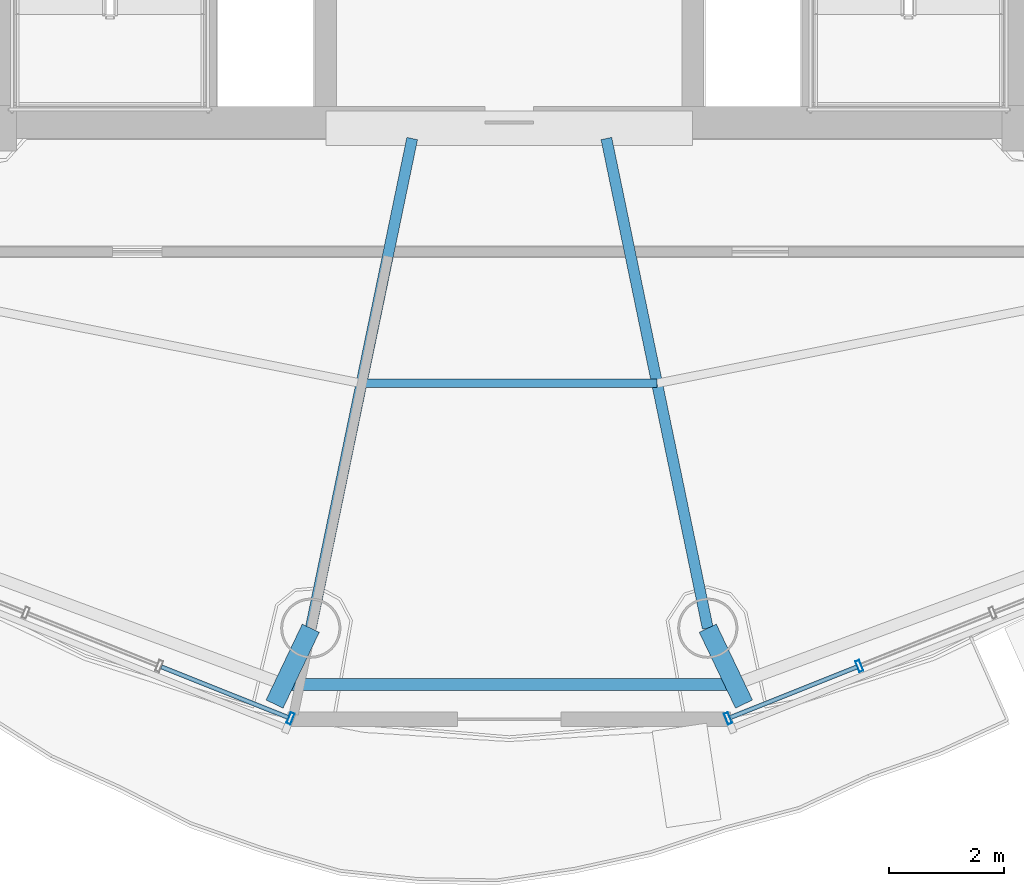
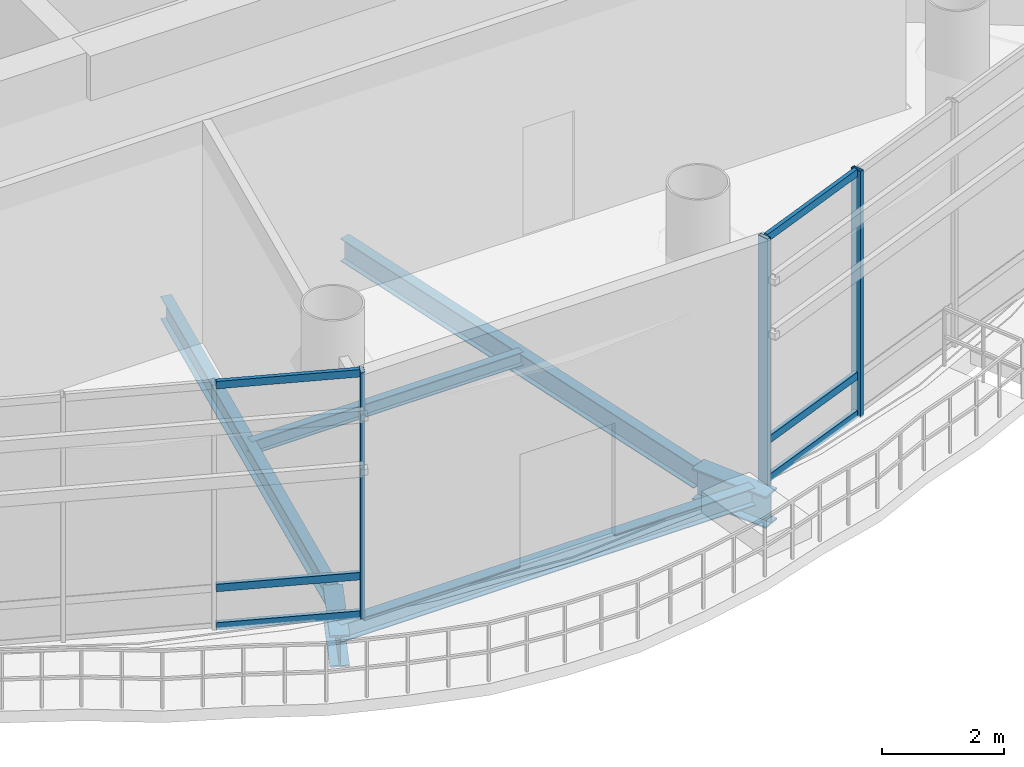
# One storey, part 4 of 22: 9 members, 6 beams, 2 elements without a shape of their own.
"""IFC4 building model written with IfcOpenShell, lengths in metres."""

from ifc_helpers import new_model, si_unit, direction, frame, origin, origin_2d, place, context, subcontext, project, spatial, hollow_rectangle, i_section, extrude, source, transform, mapped, material, material_profile, profile_set, type_object, element, aggregate, save


model = new_model("IFC4")

# Units and contexts
model_context = context("Model", 3, precision=1e-05, world=origin(), true_north=direction((-0.2419218956, 0.970295726276)))
body_context = subcontext(model_context, "Body", "Model", "MODEL_VIEW")
ifc_project = project(units=[si_unit("LENGTHUNIT", "METRE"), si_unit("AREAUNIT", "SQUARE_METRE"), si_unit("VOLUMEUNIT", "CUBIC_METRE"), si_unit("PLANEANGLEUNIT", "RADIAN"), si_unit("MASSUNIT", "GRAM", prefix="KILO")], contexts=[model_context])

# Site, building, storey
site_placement = place(None, origin())
site = spatial("IfcSite", under=ifc_project, at=site_placement, CompositionType="ELEMENT")
building_placement = place(site_placement, origin())
building = spatial("IfcBuilding", under=site, at=building_placement, Name="Cobrevalo Terracotta Tower", CompositionType="ELEMENT")
storey_placement = place(building_placement, frame((0.0, 0.0, 243.0)))
storey = spatial("IfcBuildingStorey", under=building, at=storey_placement, Name="L64", CompositionType="ELEMENT", Elevation=243.0)

# Beams
ifc_material_1 = material(Name="Steel S355", Category="steel")
ifc_material_profile_1 = material_profile(ifc_material_1, i_section(OverallWidth=0.19091796875, OverallDepth=0.4599609375, WebThickness=0.010009765625, FlangeThickness=0.01611328125, at=origin_2d()), Name="W 460x82")
ifc_profile_set_1 = profile_set([ifc_material_profile_1], Name="Steel S355")
beam_type_1 = type_object("IfcBeamType", Name="Structural Beam W 460x82 (Steel S355)", PredefinedType="BEAM", material=ifc_profile_set_1)
for number, where, z_axis, x_axis, name in (
    (1, (34.537109375, 10.07763671875, -0.679931640625), (0.202785130995, 0.979223258837, 0.0), (-0.979223258837, 0.202785130995, 0.0), "L64 radial floor girder 12"),
    (2, (41.462890625, 10.07763671875, -0.679931640625), (-0.202785130995, 0.979223258837, 0.0), (-0.979223258837, -0.202785130995, 0.0), "L64 radial floor girder 13"),
):
    element("IfcBeam", number, at=place(storey_placement, frame(where, z_axis=z_axis, x_axis=x_axis)), inside=storey, type_object=beam_type_1, Name=name, PredefinedType="BEAM", context=body_context, shape_type="SweptSolid", body=[
        extrude(i_section(OverallWidth=0.19091796875, OverallDepth=0.4599609375, WebThickness=0.010009765625, FlangeThickness=0.01611328125, at=origin_2d()), origin(), (0.0, 0.0, 1.0), 8.7236328125),
    ])
ifc_material_profile_2 = material_profile(ifc_material_1, i_section(OverallWidth=0.3291015625, OverallDepth=0.635009765625, WebThickness=0.017822265625, FlangeThickness=0.031005859375, at=origin_2d()), Name="W 610x241")
ifc_profile_set_2 = profile_set([ifc_material_profile_2], Name="Steel S355")
beam_type_2 = type_object("IfcBeamType", Name="Structural Beam W 610x241 (Steel S355)", PredefinedType="BEAM", material=ifc_profile_set_2)
for number, where, z_axis, x_axis, name in (
    (3, (33.9052734375, 8.75390625, -0.767578125), (0.430760396197, 0.902466332374, 0.0), (-0.902466332374, 0.430760396197, 0.0), "L64 setback step-link girder 12"),
    (4, (42.0947265625, 8.75390625, -0.767578125), (-0.430760396197, 0.902466332374, 0.0), (-0.902466332374, -0.430760396197, 0.0), "L64 setback step-link girder 13"),
):
    element("IfcBeam", number, at=place(storey_placement, frame(where, z_axis=z_axis, x_axis=x_axis)), inside=storey, type_object=beam_type_2, Name=name, PredefinedType="BEAM", context=body_context, shape_type="SweptSolid", body=[
        extrude(i_section(OverallWidth=0.3291015625, OverallDepth=0.635009765625, WebThickness=0.017822265625, FlangeThickness=0.031005859375, at=origin_2d()), origin(), (0.0, 0.0, 1.0), 1.466796875),
    ])
ifc_material_profile_3 = material_profile(ifc_material_1, i_section(OverallWidth=0.14794921875, OverallDepth=0.26611328125, WebThickness=0.007568359375, FlangeThickness=0.012939453125, at=origin_2d()), Name="W 250x44.8")
ifc_profile_set_3 = profile_set([ifc_material_profile_3], Name="Steel S355")
beam_type_3 = type_object("IfcBeamType", Name="Structural Joist W 250x44.8 (Steel S355)", PredefinedType="JOIST", material=ifc_profile_set_3)
beam_1_placement = place(storey_placement, frame((35.421630859375, 14.348876953125, -0.5830078125), z_axis=(1.0, 0.0, 0.0), x_axis=(0.0, 1.0, 0.0)))
element("IfcBeam", 5, at=beam_1_placement, inside=storey, type_object=beam_type_3, Name="L64 circumferential secondary floor joist 12", PredefinedType="JOIST", context=body_context, shape_type="SweptSolid", body=[
    extrude(i_section(OverallWidth=0.14794921875, OverallDepth=0.26611328125, WebThickness=0.007568359375, FlangeThickness=0.012939453125, at=origin_2d()), origin(), (0.0, 0.0, 1.0), 5.15673828125),
])
ifc_material_profile_4 = material_profile(ifc_material_1, i_section(OverallWidth=0.205078125, OverallDepth=0.35400390625, WebThickness=0.009521484375, FlangeThickness=0.016845703125, at=origin_2d()), Name="W 360x79")
ifc_profile_set_4 = profile_set([ifc_material_profile_4], Name="Steel S355")
beam_type_4 = type_object("IfcBeamType", Name="Structural Spandrel W 360x79 (Steel S355)", PredefinedType="SPANDREL", material=ifc_profile_set_4)
beam_2_placement = place(storey_placement, frame((34.06884765625, 9.096923828125, -0.626953125), z_axis=(1.0, 0.0, 0.0), x_axis=(0.0, 1.0, 0.0)))
element("IfcBeam", 6, at=beam_2_placement, inside=storey, type_object=beam_type_4, Name="L64 perimeter ring spandrel 12", PredefinedType="SPANDREL", context=body_context, shape_type="SweptSolid", body=[
    extrude(i_section(OverallWidth=0.205078125, OverallDepth=0.35400390625, WebThickness=0.009521484375, FlangeThickness=0.016845703125, at=origin_2d()), origin(), (0.0, 0.0, 1.0), 7.8623046875),
])

# Curtain wall, member
ifc_material_2 = material(Name="Anodized aluminium", Category="aluminium")
curtain_wall_type = type_object("IfcCurtainWallType", Name="Double-height sky-lobby panoramic curtain wall CW-SK", PredefinedType="NOTDEFINED", material=ifc_material_2)
curtain_wall_1_placement = place(storey_placement, origin())
curtain_wall_1 = element("IfcCurtainWall", 7, at=curtain_wall_1_placement, inside=storey, type_object=curtain_wall_type, Name="L64 curtain wall CW-SK-L64-S11", PredefinedType="NOTDEFINED")
ifc_material_profile_5 = material_profile(ifc_material_2, hollow_rectangle(XDim=0.074951171875, YDim=0.199951171875, WallThickness=0.0048828125, at=origin_2d()), Name="CWM 75x200")
ifc_profile_set_5 = profile_set([ifc_material_profile_5], Name="Anodized aluminium")
member_type_1 = type_object("IfcMemberType", Name="Lower/mid tower unitised mullion 75x200", PredefinedType="MULLION", material=ifc_profile_set_5)
shared_shape_1 = source(origin(), body_context, "Body", "SweptSolid", [
    extrude(hollow_rectangle(XDim=0.074951171875, YDim=0.199951171875, WallThickness=0.0048828125, at=origin_2d()), origin(), (0.0, 0.0, 1.0), 4.93994140625),
])
member_1_placement = place(storey_placement, frame((34.183837890625, 8.503662109375, 0.0), z_axis=(0.0, 0.0, 1.0), x_axis=(0.928718980883, -0.370784377433, 0.0)))
member_1 = element("IfcMember", 8, at=member_1_placement, type_object=member_type_1, Name="CW-SK-L64-S11 vertical mullion 04", PredefinedType="MULLION", context=body_context, shape_type="MappedRepresentation", body=[
    mapped(shared_shape_1, transform((0.0, 0.0, 0.0), scale=1.0)),
])

# Curtain wall, members
curtain_wall_2_placement = place(storey_placement, origin())
curtain_wall_2 = element("IfcCurtainWall", 9, at=curtain_wall_2_placement, inside=storey, type_object=curtain_wall_type, Name="L64 curtain wall CW-SK-L64-S13", PredefinedType="NOTDEFINED")
member_2_placement = place(storey_placement, frame((41.816162109375, 8.503662109375, 0.0), z_axis=(0.0, 0.0, 1.0), x_axis=(0.928718980883, 0.370784377433, 0.0)))
member_2 = element("IfcMember", 10, at=member_2_placement, type_object=member_type_1, Name="CW-SK-L64-S13 vertical mullion 01", PredefinedType="MULLION", context=body_context, shape_type="MappedRepresentation", body=[
    mapped(shared_shape_1, transform((0.0, 0.0, 0.0), scale=1.0)),
])
member_3_placement = place(storey_placement, frame((44.1064453125, 9.41796875, 0.0), z_axis=(0.0, 0.0, 1.0), x_axis=(0.928718980883, 0.370784377433, 0.0)))
member_3 = element("IfcMember", 11, at=member_3_placement, type_object=member_type_1, Name="CW-SK-L64-S13 vertical mullion 02", PredefinedType="MULLION", context=body_context, shape_type="MappedRepresentation", body=[
    mapped(shared_shape_1, transform((0.0, 0.0, 0.0), scale=1.0)),
])

# Member
ifc_material_profile_6 = material_profile(ifc_material_2, hollow_rectangle(XDim=0.074951171875, YDim=0.14990234375, WallThickness=0.00439453125, at=origin_2d()), Name="CWT 75x150")
ifc_profile_set_6 = profile_set([ifc_material_profile_6], Name="Anodized aluminium")
member_type_2 = type_object("IfcMemberType", Name="Tower unitised aluminium transom 75x150", PredefinedType="USERDEFINED", material=ifc_profile_set_6)
shared_shape_2 = source(origin(), body_context, "Body", "SweptSolid", [
    extrude(hollow_rectangle(XDim=0.074951171875, YDim=0.14990234375, WallThickness=0.00439453125, at=origin_2d()), origin(), (0.0, 0.0, 1.0), 2.38623046875),
])
member_4_placement = place(storey_placement, frame((31.9306640625, 9.403076171875, 0.050048828125), z_axis=(0.928716409011, -0.370790819242, 0.0), x_axis=(0.370790819242, 0.928716409011, 0.0)))
member_4 = element("IfcMember", 12, at=member_4_placement, type_object=member_type_2, Name="CW-SK-L64-S11 transom B03-T1", ObjectType="TRANSOM", PredefinedType="USERDEFINED", context=body_context, shape_type="MappedRepresentation", body=[
    mapped(shared_shape_2, transform((0.0, 0.0, 0.0), scale=1.0)),
])

member_5_placement = place(storey_placement, frame((31.9306640625, 9.403076171875, 0.820068359375), z_axis=(0.928716409011, -0.370790819242, 0.0), x_axis=(0.370790819242, 0.928716409011, 0.0)))
member_5 = element("IfcMember", 13, at=member_5_placement, type_object=member_type_2, Name="CW-SK-L64-S11 transom B03-T2", ObjectType="TRANSOM", PredefinedType="USERDEFINED", context=body_context, shape_type="MappedRepresentation", body=[
    mapped(shared_shape_2, transform((0.0, 0.0, 0.0), scale=1.0)),
])

member_6_placement = place(storey_placement, frame((31.9306640625, 9.403076171875, 4.889892578125), z_axis=(0.928716409011, -0.370790819242, 0.0), x_axis=(0.370790819242, 0.928716409011, 0.0)))
member_6 = element("IfcMember", 14, at=member_6_placement, type_object=member_type_2, Name="CW-SK-L64-S11 transom B03-T3", ObjectType="TRANSOM", PredefinedType="USERDEFINED", context=body_context, shape_type="MappedRepresentation", body=[
    mapped(shared_shape_2, transform((0.0, 0.0, 0.0), scale=1.0)),
])

aggregate(curtain_wall_1, [member_1, member_4, member_5, member_6])

member_7_placement = place(storey_placement, frame((41.853271484375, 8.518310546875, 0.050048828125), z_axis=(0.928716409011, 0.370790819242, 0.0), x_axis=(-0.370790819242, 0.928716409011, 0.0)))
member_7 = element("IfcMember", 15, at=member_7_placement, type_object=member_type_2, Name="CW-SK-L64-S13 transom B01-T1", ObjectType="TRANSOM", PredefinedType="USERDEFINED", context=body_context, shape_type="MappedRepresentation", body=[
    mapped(shared_shape_2, transform((0.0, 0.0, 0.0), scale=1.0)),
])

member_8_placement = place(storey_placement, frame((41.853271484375, 8.518310546875, 0.820068359375), z_axis=(0.928716409011, 0.370790819242, 0.0), x_axis=(-0.370790819242, 0.928716409011, 0.0)))
member_8 = element("IfcMember", 16, at=member_8_placement, type_object=member_type_2, Name="CW-SK-L64-S13 transom B01-T2", ObjectType="TRANSOM", PredefinedType="USERDEFINED", context=body_context, shape_type="MappedRepresentation", body=[
    mapped(shared_shape_2, transform((0.0, 0.0, 0.0), scale=1.0)),
])

member_9_placement = place(storey_placement, frame((41.853271484375, 8.518310546875, 4.889892578125), z_axis=(0.928716409011, 0.370790819242, 0.0), x_axis=(-0.370790819242, 0.928716409011, 0.0)))
member_9 = element("IfcMember", 17, at=member_9_placement, type_object=member_type_2, Name="CW-SK-L64-S13 transom B01-T3", ObjectType="TRANSOM", PredefinedType="USERDEFINED", context=body_context, shape_type="MappedRepresentation", body=[
    mapped(shared_shape_2, transform((0.0, 0.0, 0.0), scale=1.0)),
])

aggregate(curtain_wall_2, [member_2, member_3, member_7, member_8, member_9])

save(model, "model.ifc")
